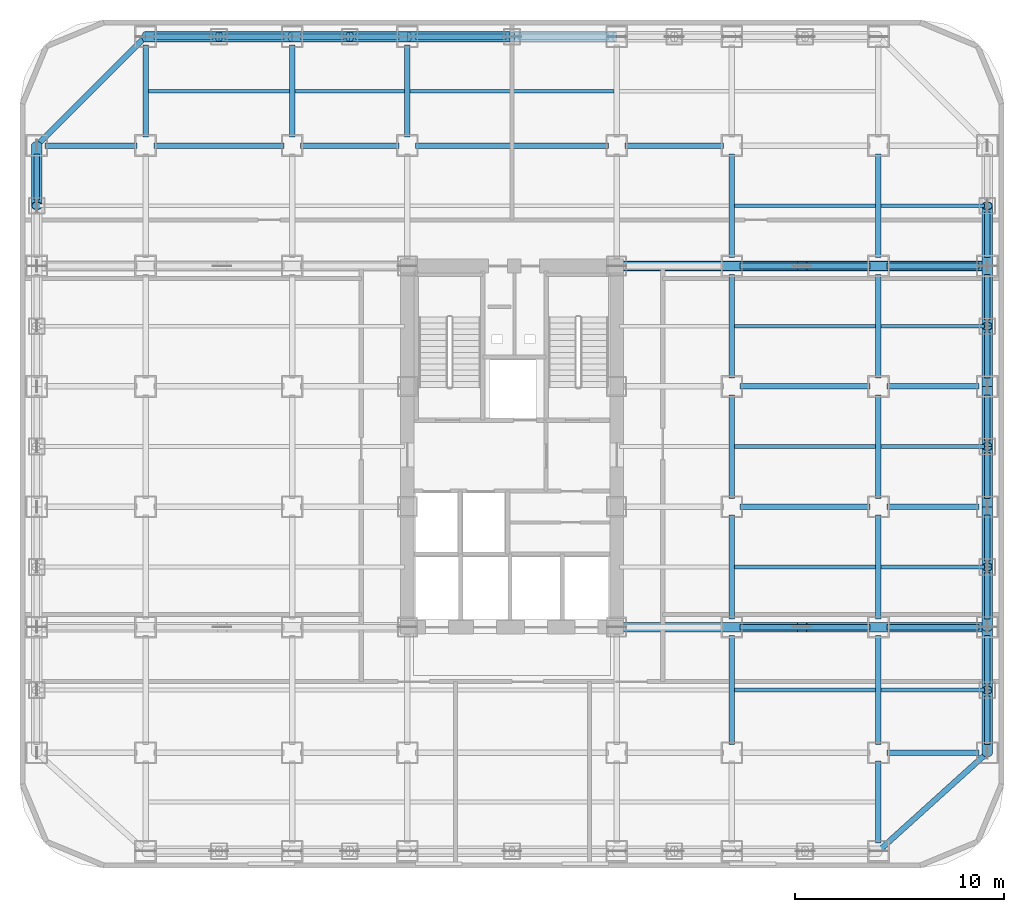
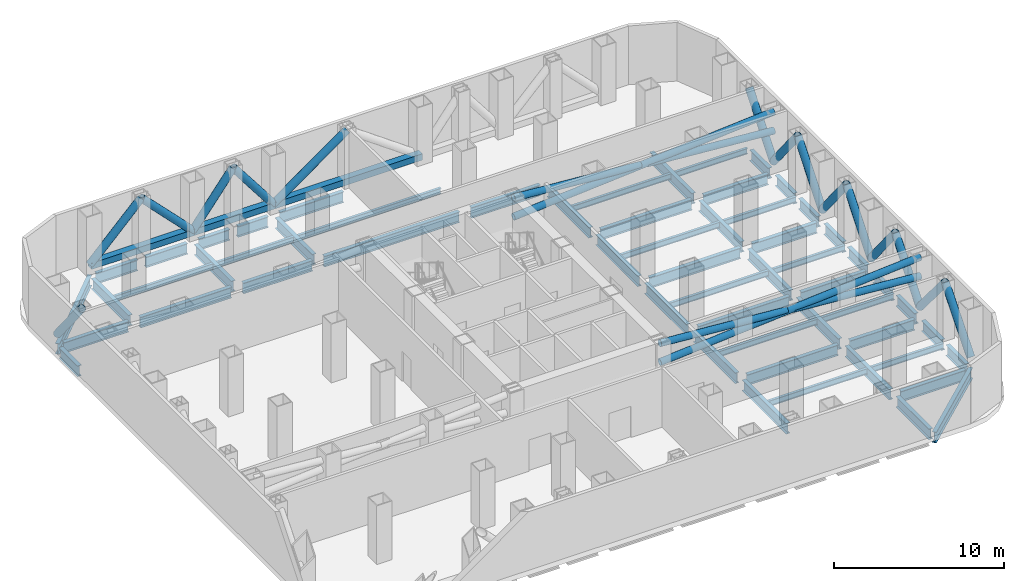
# One storey, part 3 of 10: 58 beams, 24 members.
"""IFC4 building model written with IfcOpenShell, lengths in metres."""

from ifc_helpers import new_model, si_unit, direction, frame, origin, origin_2d, place, context, subcontext, project, spatial, hollow_rectangle, hollow_circle, i_section, extrude, source, transform, mapped, material, material_profile, profile_set, type_object, element, save


model = new_model("IFC4")

# Units and contexts
model_context = context("Model", 3, precision=1e-05, world=origin(), true_north=direction((0.0, 1.0)))
body_context = subcontext(model_context, "Body", "Model", "MODEL_VIEW")
ifc_project = project(units=[si_unit("LENGTHUNIT", "METRE"), si_unit("AREAUNIT", "SQUARE_METRE"), si_unit("VOLUMEUNIT", "CUBIC_METRE"), si_unit("PLANEANGLEUNIT", "RADIAN"), si_unit("MASSUNIT", "GRAM", prefix="KILO")], contexts=[model_context])

# Site, building, storey
site_placement = place(None, origin())
site = spatial("IfcSite", under=ifc_project, at=site_placement, CompositionType="ELEMENT")
building_placement = place(site_placement, origin())
building = spatial("IfcBuilding", under=site, at=building_placement, Name="Kolveth Station Tower", CompositionType="ELEMENT")
storey_placement = place(building_placement, frame((0.0, 0.0, 76.5)))
storey = spatial("IfcBuildingStorey", under=building, at=storey_placement, Name="L20", CompositionType="ELEMENT", Elevation=76.5)

# Beams
ifc_material_1 = material(Name="Steel S355", Category="steel")
ifc_material_profile_1 = material_profile(ifc_material_1, i_section(OverallWidth=0.26904296875, OverallDepth=0.77490234375, WebThickness=0.01708984375, FlangeThickness=0.0283203125, at=origin_2d()), Name="W760x220")
ifc_profile_set_1 = profile_set([ifc_material_profile_1], Name="Steel S355")
beam_type_1 = type_object("IfcBeamType", Name="Beam_SP1", PredefinedType="SPANDREL", material=ifc_profile_set_1)
shared_shape_1 = source(origin(), body_context, "Body", "SweptSolid", [
    extrude(i_section(OverallWidth=0.26904296875, OverallDepth=0.77490234375, WebThickness=0.01708984375, FlangeThickness=0.0283203125, at=origin_2d()), origin(), (0.0, 0.0, 1.0), 7.00927734375),
])
beam_1_placement = place(storey_placement, frame((41.0, 0.800048828125, -0.74755859375), z_axis=(0.741874009795, 0.670539300557, 0.0), x_axis=(-0.670539300557, 0.741874009795, 0.0)))
element("IfcBeam", 1, at=beam_1_placement, inside=storey, type_object=beam_type_1, Name="L20 Corner Edge Girder BM-L20-CNR-SE", PredefinedType="SPANDREL", context=body_context, shape_type="MappedRepresentation", body=[
    mapped(shared_shape_1, transform((0.0, 0.0, 0.0), x_axis=(1.0, 0.0, 0.0), y_axis=(0.0, 1.0, 0.0), z_axis=(0.0, 0.0, 1.0), scale=1.0)),
])
shared_shape_2 = source(origin(), body_context, "Body", "SweptSolid", [
    extrude(i_section(OverallWidth=0.26904296875, OverallDepth=0.77490234375, WebThickness=0.01708984375, FlangeThickness=0.0283203125, at=origin_2d()), origin(), (0.0, 0.0, 1.0), 7.353759765625),
])
beam_2_placement = place(storey_placement, frame((6.0, 39.699951171875, -0.74755859375), z_axis=(-0.707106781187, -0.707106781187, 0.0), x_axis=(0.707106781187, -0.707106781187, 0.0)))
element("IfcBeam", 2, at=beam_2_placement, inside=storey, type_object=beam_type_1, Name="L20 Corner Edge Girder BM-L20-CNR-NW", PredefinedType="SPANDREL", context=body_context, shape_type="MappedRepresentation", body=[
    mapped(shared_shape_2, transform((0.0, 0.0, 0.0), x_axis=(1.0, 0.0, 0.0), y_axis=(0.0, 1.0, 0.0), z_axis=(0.0, 0.0, 1.0), scale=1.0)),
])
shared_shape_3 = source(origin(), body_context, "Body", "SweptSolid", [
    extrude(i_section(OverallWidth=0.26904296875, OverallDepth=0.77490234375, WebThickness=0.01708984375, FlangeThickness=0.0283203125, at=origin_2d()), origin(), (0.0, 0.0, 1.0), 2.820068359375),
])
for number, where, z_axis, x_axis, name in (
    (3, (6.39990234375, 39.699951171875, -0.74755859375), (1.0, 0.0, 0.0), (0.0, 1.0, 0.0), "L20 Perimeter Spandrel BM-L20-PN-1"),
    (4, (9.780029296875, 39.699951171875, -0.74755859375), (1.0, 0.0, 0.0), (0.0, 1.0, 0.0), "L20 Perimeter Spandrel BM-L20-PN-2"),
):
    element("IfcBeam", number, at=place(storey_placement, frame(where, z_axis=z_axis, x_axis=x_axis)), inside=storey, type_object=beam_type_1, Name=name, PredefinedType="SPANDREL", context=body_context, shape_type="MappedRepresentation", body=[
        mapped(shared_shape_3, transform((0.0, 0.0, 0.0), x_axis=(1.0, 0.0, 0.0), y_axis=(0.0, 1.0, 0.0), z_axis=(0.0, 0.0, 1.0), scale=1.0)),
    ])
shared_shape_4 = source(origin(), body_context, "Body", "SweptSolid", [
    extrude(i_section(OverallWidth=0.26904296875, OverallDepth=0.77490234375, WebThickness=0.01708984375, FlangeThickness=0.0283203125, at=origin_2d()), origin(), (0.0, 0.0, 1.0), 2.070068359375),
])
for number, where, z_axis, x_axis, name in (
    (5, (13.39990234375, 39.699951171875, -0.74755859375), (1.0, 0.0, 0.0), (0.0, 1.0, 0.0), "L20 Perimeter Spandrel BM-L20-PN-3"),
    (6, (16.030029296875, 39.699951171875, -0.74755859375), (1.0, 0.0, 0.0), (0.0, 1.0, 0.0), "L20 Perimeter Spandrel BM-L20-PN-4"),
):
    element("IfcBeam", number, at=place(storey_placement, frame(where, z_axis=z_axis, x_axis=x_axis)), inside=storey, type_object=beam_type_1, Name=name, PredefinedType="SPANDREL", context=body_context, shape_type="MappedRepresentation", body=[
        mapped(shared_shape_4, transform((0.0, 0.0, 0.0), x_axis=(1.0, 0.0, 0.0), y_axis=(0.0, 1.0, 0.0), z_axis=(0.0, 0.0, 1.0), scale=1.0)),
    ])
shared_shape_5 = source(origin(), body_context, "Body", "SweptSolid", [
    extrude(i_section(OverallWidth=0.26904296875, OverallDepth=0.77490234375, WebThickness=0.01708984375, FlangeThickness=0.0283203125, at=origin_2d()), origin(), (0.0, 0.0, 1.0), 4.320068359375),
])
beam_3_placement = place(storey_placement, frame((18.89990234375, 39.699951171875, -0.74755859375), z_axis=(1.0, 0.0, 0.0), x_axis=(0.0, 1.0, 0.0)))
element("IfcBeam", 7, at=beam_3_placement, inside=storey, type_object=beam_type_1, Name="L20 Perimeter Spandrel BM-L20-PN-5", PredefinedType="SPANDREL", context=body_context, shape_type="MappedRepresentation", body=[
    mapped(shared_shape_5, transform((0.0, 0.0, 0.0), x_axis=(1.0, 0.0, 0.0), y_axis=(0.0, 1.0, 0.0), z_axis=(0.0, 0.0, 1.0), scale=1.0)),
])
shared_shape_6 = source(origin(), body_context, "Body", "SweptSolid", [
    extrude(i_section(OverallWidth=0.26904296875, OverallDepth=0.77490234375, WebThickness=0.01708984375, FlangeThickness=0.0283203125, at=origin_2d()), origin(), (0.0, 0.0, 1.0), 2.320068359375),
])
for number, where, z_axis, x_axis, name in (
    (8, (46.199951171875, 5.89990234375, -0.74755859375), (0.0, 1.0, 0.0), (-1.0, 0.0, 0.0), "L20 Perimeter Spandrel BM-L20-PE-1"),
    (9, (46.199951171875, 8.780029296875, -0.74755859375), (0.0, 1.0, 0.0), (-1.0, 0.0, 0.0), "L20 Perimeter Spandrel BM-L20-PE-2"),
):
    element("IfcBeam", number, at=place(storey_placement, frame(where, z_axis=z_axis, x_axis=x_axis)), inside=storey, type_object=beam_type_1, Name=name, PredefinedType="SPANDREL", context=body_context, shape_type="MappedRepresentation", body=[
        mapped(shared_shape_6, transform((0.0, 0.0, 0.0), x_axis=(1.0, 0.0, 0.0), y_axis=(0.0, 1.0, 0.0), z_axis=(0.0, 0.0, 1.0), scale=1.0)),
    ])
shared_shape_7 = source(origin(), body_context, "Body", "SweptSolid", [
    extrude(i_section(OverallWidth=0.26904296875, OverallDepth=0.77490234375, WebThickness=0.01708984375, FlangeThickness=0.0283203125, at=origin_2d()), origin(), (0.0, 0.0, 1.0), 2.2001953125),
])
for number, where, z_axis, x_axis, name in (
    (10, (0.800048828125, 31.89990234375, -0.74755859375), (0.0, 1.0, 0.0), (-1.0, 0.0, 0.0), "L20 Perimeter Spandrel BM-L20-PW-10"),
    (11, (46.199951171875, 11.89990234375, -0.74755859375), (0.0, 1.0, 0.0), (-1.0, 0.0, 0.0), "L20 Perimeter Spandrel BM-L20-PE-3"),
    (12, (46.199951171875, 20.39990234375, -0.74755859375), (0.0, 1.0, 0.0), (-1.0, 0.0, 0.0), "L20 Perimeter Spandrel BM-L20-PE-6"),
    (13, (46.199951171875, 23.39990234375, -0.74755859375), (0.0, 1.0, 0.0), (-1.0, 0.0, 0.0), "L20 Perimeter Spandrel BM-L20-PE-7"),
):
    element("IfcBeam", number, at=place(storey_placement, frame(where, z_axis=z_axis, x_axis=x_axis)), inside=storey, type_object=beam_type_1, Name=name, PredefinedType="SPANDREL", context=body_context, shape_type="MappedRepresentation", body=[
        mapped(shared_shape_7, transform((0.0, 0.0, 0.0), x_axis=(1.0, 0.0, 0.0), y_axis=(0.0, 1.0, 0.0), z_axis=(0.0, 0.0, 1.0), scale=1.0)),
    ])
shared_shape_8 = source(origin(), body_context, "Body", "SweptSolid", [
    extrude(i_section(OverallWidth=0.26904296875, OverallDepth=0.77490234375, WebThickness=0.01708984375, FlangeThickness=0.0283203125, at=origin_2d()), origin(), (0.0, 0.0, 1.0), 2.190185546875),
])
for number, where, z_axis, x_axis, name in (
    (14, (46.199951171875, 14.659912109375, -0.74755859375), (0.0, 1.0, 0.0), (-1.0, 0.0, 0.0), "L20 Perimeter Spandrel BM-L20-PE-4"),
    (15, (46.199951171875, 17.64990234375, -0.74755859375), (0.0, 1.0, 0.0), (-1.0, 0.0, 0.0), "L20 Perimeter Spandrel BM-L20-PE-5"),
    (16, (46.199951171875, 26.159912109375, -0.74755859375), (0.0, 1.0, 0.0), (-1.0, 0.0, 0.0), "L20 Perimeter Spandrel BM-L20-PE-8"),
    (17, (46.199951171875, 29.14990234375, -0.74755859375), (0.0, 1.0, 0.0), (-1.0, 0.0, 0.0), "L20 Perimeter Spandrel BM-L20-PE-9"),
):
    element("IfcBeam", number, at=place(storey_placement, frame(where, z_axis=z_axis, x_axis=x_axis)), inside=storey, type_object=beam_type_1, Name=name, PredefinedType="SPANDREL", context=body_context, shape_type="MappedRepresentation", body=[
        mapped(shared_shape_8, transform((0.0, 0.0, 0.0), x_axis=(1.0, 0.0, 0.0), y_axis=(0.0, 1.0, 0.0), z_axis=(0.0, 0.0, 1.0), scale=1.0)),
    ])
ifc_material_profile_2 = material_profile(ifc_material_1, i_section(OverallWidth=0.26708984375, OverallDepth=0.76611328125, WebThickness=0.014892578125, FlangeThickness=0.023681640625, at=origin_2d()), Name="W760x185")
ifc_profile_set_2 = profile_set([ifc_material_profile_2], Name="Steel S355")
beam_type_2 = type_object("IfcBeamType", Name="Beam_B3", PredefinedType="BEAM", material=ifc_profile_set_2)
shared_shape_9 = source(origin(), body_context, "Body", "SweptSolid", [
    extrude(i_section(OverallWidth=0.26708984375, OverallDepth=0.76611328125, WebThickness=0.014892578125, FlangeThickness=0.023681640625, at=origin_2d()), origin(), (0.0, 0.0, 1.0), 4.400146484375),
])
for number, where, z_axis, x_axis, name in (
    (18, (41.39990234375, 5.5, -0.742919921875), (1.0, 0.0, 0.0), (0.0, 1.0, 0.0), "L20 Primary Girder BM-L20-GY55-7"),
    (19, (41.39990234375, 11.5, -0.742919921875), (1.0, 0.0, 0.0), (0.0, 1.0, 0.0), "L20 Primary Girder BM-L20-GY115-7"),
    (20, (41.39990234375, 17.25, -0.742919921875), (1.0, 0.0, 0.0), (0.0, 1.0, 0.0), "L20 Primary Girder BM-L20-GY172-7"),
    (21, (41.39990234375, 23.0, -0.742919921875), (1.0, 0.0, 0.0), (0.0, 1.0, 0.0), "L20 Primary Girder BM-L20-GY230-7"),
    (22, (41.39990234375, 28.75, -0.742919921875), (1.0, 0.0, 0.0), (0.0, 1.0, 0.0), "L20 Primary Girder BM-L20-GY287-7"),
    (23, (1.199951171875, 34.5, -0.742919921875), (1.0, 0.0, 0.0), (0.0, 1.0, 0.0), "L20 Primary Girder BM-L20-GY345-1"),
    (24, (6.0, 34.89990234375, -0.742919921875), (0.0, 1.0, 0.0), (-1.0, 0.0, 0.0), "L20 Primary Girder BM-L20-GX60-7"),
    (25, (13.0, 34.89990234375, -0.742919921875), (0.0, 1.0, 0.0), (-1.0, 0.0, 0.0), "L20 Primary Girder BM-L20-GX130-7"),
    (26, (18.5, 34.89990234375, -0.742919921875), (0.0, 1.0, 0.0), (-1.0, 0.0, 0.0), "L20 Primary Girder BM-L20-GX185-7"),
):
    element("IfcBeam", number, at=place(storey_placement, frame(where, z_axis=z_axis, x_axis=x_axis)), inside=storey, type_object=beam_type_2, Name=name, PredefinedType="BEAM", context=body_context, shape_type="MappedRepresentation", body=[
        mapped(shared_shape_9, transform((0.0, 0.0, 0.0), x_axis=(1.0, 0.0, 0.0), y_axis=(0.0, 1.0, 0.0), z_axis=(0.0, 0.0, 1.0), scale=1.0)),
    ])
shared_shape_10 = source(origin(), body_context, "Body", "SweptSolid", [
    extrude(i_section(OverallWidth=0.26708984375, OverallDepth=0.76611328125, WebThickness=0.014892578125, FlangeThickness=0.023681640625, at=origin_2d()), origin(), (0.0, 0.0, 1.0), 6.2001953125),
])
for number, where, z_axis, x_axis, name in (
    (27, (34.39990234375, 11.5, -0.742919921875), (1.0, 0.0, 0.0), (0.0, 1.0, 0.0), "L20 Primary Girder BM-L20-GY115-6"),
    (28, (34.39990234375, 17.25, -0.742919921875), (1.0, 0.0, 0.0), (0.0, 1.0, 0.0), "L20 Primary Girder BM-L20-GY172-6"),
    (29, (34.39990234375, 23.0, -0.742919921875), (1.0, 0.0, 0.0), (0.0, 1.0, 0.0), "L20 Primary Girder BM-L20-GY230-6"),
    (30, (34.39990234375, 28.75, -0.742919921875), (1.0, 0.0, 0.0), (0.0, 1.0, 0.0), "L20 Primary Girder BM-L20-GY287-6"),
    (31, (6.39990234375, 34.5, -0.742919921875), (1.0, 0.0, 0.0), (0.0, 1.0, 0.0), "L20 Primary Girder BM-L20-GY345-2"),
):
    element("IfcBeam", number, at=place(storey_placement, frame(where, z_axis=z_axis, x_axis=x_axis)), inside=storey, type_object=beam_type_2, Name=name, PredefinedType="BEAM", context=body_context, shape_type="MappedRepresentation", body=[
        mapped(shared_shape_10, transform((0.0, 0.0, 0.0), x_axis=(1.0, 0.0, 0.0), y_axis=(0.0, 1.0, 0.0), z_axis=(0.0, 0.0, 1.0), scale=1.0)),
    ])
shared_shape_11 = source(origin(), body_context, "Body", "SweptSolid", [
    extrude(i_section(OverallWidth=0.26708984375, OverallDepth=0.76611328125, WebThickness=0.014892578125, FlangeThickness=0.023681640625, at=origin_2d()), origin(), (0.0, 0.0, 1.0), 4.7001953125),
])
for number, where, z_axis, x_axis, name in (
    (32, (13.39990234375, 34.5, -0.742919921875), (1.0, 0.0, 0.0), (0.0, 1.0, 0.0), "L20 Primary Girder BM-L20-GY345-3"),
    (33, (28.89990234375, 34.5, -0.742919921875), (1.0, 0.0, 0.0), (0.0, 1.0, 0.0), "L20 Primary Girder BM-L20-GY345-5"),
):
    element("IfcBeam", number, at=place(storey_placement, frame(where, z_axis=z_axis, x_axis=x_axis)), inside=storey, type_object=beam_type_2, Name=name, PredefinedType="BEAM", context=body_context, shape_type="MappedRepresentation", body=[
        mapped(shared_shape_11, transform((0.0, 0.0, 0.0), x_axis=(1.0, 0.0, 0.0), y_axis=(0.0, 1.0, 0.0), z_axis=(0.0, 0.0, 1.0), scale=1.0)),
    ])
shared_shape_12 = source(origin(), body_context, "Body", "SweptSolid", [
    extrude(i_section(OverallWidth=0.26708984375, OverallDepth=0.76611328125, WebThickness=0.014892578125, FlangeThickness=0.023681640625, at=origin_2d()), origin(), (0.0, 0.0, 1.0), 9.2001953125),
])
beam_4_placement = place(storey_placement, frame((18.89990234375, 34.5, -0.742919921875), z_axis=(1.0, 0.0, 0.0), x_axis=(0.0, 1.0, 0.0)))
element("IfcBeam", 34, at=beam_4_placement, inside=storey, type_object=beam_type_2, Name="L20 Primary Girder BM-L20-GY345-4", PredefinedType="BEAM", context=body_context, shape_type="MappedRepresentation", body=[
    mapped(shared_shape_12, transform((0.0, 0.0, 0.0), x_axis=(1.0, 0.0, 0.0), y_axis=(0.0, 1.0, 0.0), z_axis=(0.0, 0.0, 1.0), scale=1.0)),
])
shared_shape_13 = source(origin(), body_context, "Body", "SweptSolid", [
    extrude(i_section(OverallWidth=0.26708984375, OverallDepth=0.76611328125, WebThickness=0.014892578125, FlangeThickness=0.023681640625, at=origin_2d()), origin(), (0.0, 0.0, 1.0), 3.900146484375),
])
beam_5_placement = place(storey_placement, frame((41.0, 1.199951171875, -0.742919921875), z_axis=(0.0, 1.0, 0.0), x_axis=(-1.0, 0.0, 0.0)))
element("IfcBeam", 35, at=beam_5_placement, inside=storey, type_object=beam_type_2, Name="L20 Primary Girder BM-L20-GX410-1", PredefinedType="BEAM", context=body_context, shape_type="MappedRepresentation", body=[
    mapped(shared_shape_13, transform((0.0, 0.0, 0.0), x_axis=(1.0, 0.0, 0.0), y_axis=(0.0, 1.0, 0.0), z_axis=(0.0, 0.0, 1.0), scale=1.0)),
])
shared_shape_14 = source(origin(), body_context, "Body", "SweptSolid", [
    extrude(i_section(OverallWidth=0.26708984375, OverallDepth=0.76611328125, WebThickness=0.014892578125, FlangeThickness=0.023681640625, at=origin_2d()), origin(), (0.0, 0.0, 1.0), 5.2001953125),
])
for number, where, z_axis, x_axis, name in (
    (36, (34.0, 5.89990234375, -0.742919921875), (0.0, 1.0, 0.0), (-1.0, 0.0, 0.0), "L20 Primary Girder BM-L20-GX340-2"),
    (37, (41.0, 5.89990234375, -0.742919921875), (0.0, 1.0, 0.0), (-1.0, 0.0, 0.0), "L20 Primary Girder BM-L20-GX410-2"),
):
    element("IfcBeam", number, at=place(storey_placement, frame(where, z_axis=z_axis, x_axis=x_axis)), inside=storey, type_object=beam_type_2, Name=name, PredefinedType="BEAM", context=body_context, shape_type="MappedRepresentation", body=[
        mapped(shared_shape_14, transform((0.0, 0.0, 0.0), x_axis=(1.0, 0.0, 0.0), y_axis=(0.0, 1.0, 0.0), z_axis=(0.0, 0.0, 1.0), scale=1.0)),
    ])
shared_shape_15 = source(origin(), body_context, "Body", "SweptSolid", [
    extrude(i_section(OverallWidth=0.26708984375, OverallDepth=0.76611328125, WebThickness=0.014892578125, FlangeThickness=0.023681640625, at=origin_2d()), origin(), (0.0, 0.0, 1.0), 4.9501953125),
])
for number, where, z_axis, x_axis, name in (
    (38, (34.0, 11.89990234375, -0.742919921875), (0.0, 1.0, 0.0), (-1.0, 0.0, 0.0), "L20 Primary Girder BM-L20-GX340-3"),
    (39, (34.0, 17.64990234375, -0.742919921875), (0.0, 1.0, 0.0), (-1.0, 0.0, 0.0), "L20 Primary Girder BM-L20-GX340-4"),
    (40, (34.0, 23.39990234375, -0.742919921875), (0.0, 1.0, 0.0), (-1.0, 0.0, 0.0), "L20 Primary Girder BM-L20-GX340-5"),
    (41, (34.0, 29.14990234375, -0.742919921875), (0.0, 1.0, 0.0), (-1.0, 0.0, 0.0), "L20 Primary Girder BM-L20-GX340-6"),
    (42, (41.0, 11.89990234375, -0.742919921875), (0.0, 1.0, 0.0), (-1.0, 0.0, 0.0), "L20 Primary Girder BM-L20-GX410-3"),
    (43, (41.0, 17.64990234375, -0.742919921875), (0.0, 1.0, 0.0), (-1.0, 0.0, 0.0), "L20 Primary Girder BM-L20-GX410-4"),
    (44, (41.0, 23.39990234375, -0.742919921875), (0.0, 1.0, 0.0), (-1.0, 0.0, 0.0), "L20 Primary Girder BM-L20-GX410-5"),
    (45, (41.0, 29.14990234375, -0.742919921875), (0.0, 1.0, 0.0), (-1.0, 0.0, 0.0), "L20 Primary Girder BM-L20-GX410-6"),
):
    element("IfcBeam", number, at=place(storey_placement, frame(where, z_axis=z_axis, x_axis=x_axis)), inside=storey, type_object=beam_type_2, Name=name, PredefinedType="BEAM", context=body_context, shape_type="MappedRepresentation", body=[
        mapped(shared_shape_15, transform((0.0, 0.0, 0.0), x_axis=(1.0, 0.0, 0.0), y_axis=(0.0, 1.0, 0.0), z_axis=(0.0, 0.0, 1.0), scale=1.0)),
    ])
ifc_material_profile_3 = material_profile(ifc_material_1, i_section(OverallWidth=0.177978515625, OverallDepth=0.406982421875, WebThickness=0.0078125, FlangeThickness=0.0126953125, at=origin_2d()), Name="W410x60")
ifc_profile_set_3 = profile_set([ifc_material_profile_3], Name="Steel S355")
beam_type_3 = type_object("IfcBeamType", Name="Beam_J1", PredefinedType="JOIST", material=ifc_profile_set_3)
shared_shape_16 = source(origin(), body_context, "Body", "SweptSolid", [
    extrude(i_section(OverallWidth=0.177978515625, OverallDepth=0.406982421875, WebThickness=0.0078125, FlangeThickness=0.0126953125, at=origin_2d()), origin(), (0.0, 0.0, 1.0), 4.935791015625),
])
for number, where, z_axis, x_axis, name in (
    (46, (41.131591796875, 8.5, -0.5634765625), (1.0, 0.0, 0.0), (0.0, 1.0, 0.0), "L20 Secondary Joist JST-L20-7-2"),
    (47, (41.131591796875, 14.375, -0.5634765625), (1.0, 0.0, 0.0), (0.0, 1.0, 0.0), "L20 Secondary Joist JST-L20-7-3"),
    (48, (41.131591796875, 20.125, -0.5634765625), (1.0, 0.0, 0.0), (0.0, 1.0, 0.0), "L20 Secondary Joist JST-L20-7-4"),
    (49, (41.131591796875, 25.875, -0.5634765625), (1.0, 0.0, 0.0), (0.0, 1.0, 0.0), "L20 Secondary Joist JST-L20-7-5"),
    (50, (41.131591796875, 31.625, -0.5634765625), (1.0, 0.0, 0.0), (0.0, 1.0, 0.0), "L20 Secondary Joist JST-L20-7-6"),
):
    element("IfcBeam", number, at=place(storey_placement, frame(where, z_axis=z_axis, x_axis=x_axis)), inside=storey, type_object=beam_type_3, Name=name, PredefinedType="JOIST", context=body_context, shape_type="MappedRepresentation", body=[
        mapped(shared_shape_16, transform((0.0, 0.0, 0.0), x_axis=(1.0, 0.0, 0.0), y_axis=(0.0, 1.0, 0.0), z_axis=(0.0, 0.0, 1.0), scale=1.0)),
    ])
shared_shape_17 = source(origin(), body_context, "Body", "SweptSolid", [
    extrude(i_section(OverallWidth=0.177978515625, OverallDepth=0.406982421875, WebThickness=0.0078125, FlangeThickness=0.0126953125, at=origin_2d()), origin(), (0.0, 0.0, 1.0), 6.73681640625),
])
for number, where, z_axis, x_axis, name in (
    (51, (6.131591796875, 37.10009765625, -0.5634765625), (1.0, 0.0, 0.0), (0.0, 1.0, 0.0), "L20 Secondary Joist JST-L20-2-7"),
    (52, (34.131591796875, 8.5, -0.5634765625), (1.0, 0.0, 0.0), (0.0, 1.0, 0.0), "L20 Secondary Joist JST-L20-6-2"),
    (53, (34.131591796875, 14.375, -0.5634765625), (1.0, 0.0, 0.0), (0.0, 1.0, 0.0), "L20 Secondary Joist JST-L20-6-3"),
    (54, (34.131591796875, 20.125, -0.5634765625), (1.0, 0.0, 0.0), (0.0, 1.0, 0.0), "L20 Secondary Joist JST-L20-6-4"),
    (55, (34.131591796875, 25.875, -0.5634765625), (1.0, 0.0, 0.0), (0.0, 1.0, 0.0), "L20 Secondary Joist JST-L20-6-5"),
    (56, (34.131591796875, 31.625, -0.5634765625), (1.0, 0.0, 0.0), (0.0, 1.0, 0.0), "L20 Secondary Joist JST-L20-6-6"),
):
    element("IfcBeam", number, at=place(storey_placement, frame(where, z_axis=z_axis, x_axis=x_axis)), inside=storey, type_object=beam_type_3, Name=name, PredefinedType="JOIST", context=body_context, shape_type="MappedRepresentation", body=[
        mapped(shared_shape_17, transform((0.0, 0.0, 0.0), x_axis=(1.0, 0.0, 0.0), y_axis=(0.0, 1.0, 0.0), z_axis=(0.0, 0.0, 1.0), scale=1.0)),
    ])
shared_shape_18 = source(origin(), body_context, "Body", "SweptSolid", [
    extrude(i_section(OverallWidth=0.177978515625, OverallDepth=0.406982421875, WebThickness=0.0078125, FlangeThickness=0.0126953125, at=origin_2d()), origin(), (0.0, 0.0, 1.0), 5.23681640625),
])
beam_6_placement = place(storey_placement, frame((13.131591796875, 37.10009765625, -0.5634765625), z_axis=(1.0, 0.0, 0.0), x_axis=(0.0, 1.0, 0.0)))
element("IfcBeam", 57, at=beam_6_placement, inside=storey, type_object=beam_type_3, Name="L20 Secondary Joist JST-L20-3-7", PredefinedType="JOIST", context=body_context, shape_type="MappedRepresentation", body=[
    mapped(shared_shape_18, transform((0.0, 0.0, 0.0), x_axis=(1.0, 0.0, 0.0), y_axis=(0.0, 1.0, 0.0), z_axis=(0.0, 0.0, 1.0), scale=1.0)),
])
shared_shape_19 = source(origin(), body_context, "Body", "SweptSolid", [
    extrude(i_section(OverallWidth=0.177978515625, OverallDepth=0.406982421875, WebThickness=0.0078125, FlangeThickness=0.0126953125, at=origin_2d()), origin(), (0.0, 0.0, 1.0), 9.73681640625),
])
beam_7_placement = place(storey_placement, frame((18.631591796875, 37.10009765625, -0.5634765625), z_axis=(1.0, 0.0, 0.0), x_axis=(0.0, 1.0, 0.0)))
element("IfcBeam", 58, at=beam_7_placement, inside=storey, type_object=beam_type_3, Name="L20 Secondary Joist JST-L20-4-7", PredefinedType="JOIST", context=body_context, shape_type="MappedRepresentation", body=[
    mapped(shared_shape_19, transform((0.0, 0.0, 0.0), x_axis=(1.0, 0.0, 0.0), y_axis=(0.0, 1.0, 0.0), z_axis=(0.0, 0.0, 1.0), scale=1.0)),
])

# Members
ifc_material_2 = material(Name="Steel S460", Category="steel")
ifc_material_profile_4 = material_profile(ifc_material_2, hollow_circle(Radius=0.25390625, WallThickness=0.02490234375, at=origin_2d()), Name="CHS508x25")
ifc_profile_set_4 = profile_set([ifc_material_profile_4], Name="Steel S460")
member_type_1 = type_object("IfcMemberType", Name="Mem_BR1", PredefinedType="BRACE", material=ifc_profile_set_4)
shared_shape_20 = source(origin(), body_context, "Body", "SweptSolid", [
    extrude(hollow_circle(Radius=0.25390625, WallThickness=0.02490234375, at=origin_2d()), origin(), (0.0, 0.0, 1.0), 4.999267578125),
])
for number, where, z_axis, x_axis, name in (
    (59, (6.0, 39.699951171875, 0.35009765625), (0.700088987627, 0.0, 0.71405560666), (0.0, 1.0, 0.0), "L20 Belt Truss Brace N1A"),
    (60, (13.0, 39.699951171875, 0.35009765625), (-0.700088987627, 0.0, 0.71405560666), (0.0, -1.0, 0.0), "L20 Belt Truss Brace N1B"),
):
    element("IfcMember", number, at=place(storey_placement, frame(where, z_axis=z_axis, x_axis=x_axis)), inside=storey, type_object=member_type_1, Name=name, PredefinedType="BRACE", context=body_context, shape_type="MappedRepresentation", body=[
        mapped(shared_shape_20, transform((0.0, 0.0, 0.0), x_axis=(1.0, 0.0, 0.0), y_axis=(0.0, 1.0, 0.0), z_axis=(0.0, 0.0, 1.0), scale=1.0)),
    ])
ifc_material_profile_5 = material_profile(ifc_material_2, hollow_rectangle(XDim=0.449951171875, YDim=0.449951171875, WallThickness=0.02490234375, at=origin_2d()), Name="HSS450x450x25")
ifc_profile_set_5 = profile_set([ifc_material_profile_5], Name="Steel S460")
member_type_2 = type_object("IfcMemberType", Name="Mem_CH1", PredefinedType="CHORD", material=ifc_profile_set_5)
shared_shape_21 = source(origin(), body_context, "Body", "SweptSolid", [
    extrude(hollow_rectangle(XDim=0.449951171875, YDim=0.449951171875, WallThickness=0.02490234375, at=origin_2d()), origin(), (0.0, 0.0, 1.0), 7.0),
])
member_1_placement = place(storey_placement, frame((6.0, 39.699951171875, 0.35009765625), z_axis=(1.0, 0.0, 0.0), x_axis=(0.0, 1.0, 0.0)))
element("IfcMember", 61, at=member_1_placement, inside=storey, type_object=member_type_2, Name="L20 Belt Truss Bottom Chord N1", PredefinedType="CHORD", context=body_context, shape_type="MappedRepresentation", body=[
    mapped(shared_shape_21, transform((0.0, 0.0, 0.0), x_axis=(1.0, 0.0, 0.0), y_axis=(0.0, 1.0, 0.0), z_axis=(0.0, 0.0, 1.0), scale=1.0)),
])
shared_shape_22 = source(origin(), body_context, "Body", "SweptSolid", [
    extrude(hollow_circle(Radius=0.25390625, WallThickness=0.02490234375, at=origin_2d()), origin(), (0.0, 0.0, 1.0), 4.50634765625),
])
for number, where, z_axis, x_axis, name in (
    (62, (13.0, 39.699951171875, 0.35009765625), (0.610265688356, 0.0, 0.792196812424), (0.0, 1.0, 0.0), "L20 Belt Truss Brace N2A"),
    (63, (18.5, 39.699951171875, 0.35009765625), (-0.610265688356, 0.0, 0.792196812424), (0.0, -1.0, 0.0), "L20 Belt Truss Brace N2B"),
):
    element("IfcMember", number, at=place(storey_placement, frame(where, z_axis=z_axis, x_axis=x_axis)), inside=storey, type_object=member_type_1, Name=name, PredefinedType="BRACE", context=body_context, shape_type="MappedRepresentation", body=[
        mapped(shared_shape_22, transform((0.0, 0.0, 0.0), x_axis=(1.0, 0.0, 0.0), y_axis=(0.0, 1.0, 0.0), z_axis=(0.0, 0.0, 1.0), scale=1.0)),
    ])
shared_shape_23 = source(origin(), body_context, "Body", "SweptSolid", [
    extrude(hollow_rectangle(XDim=0.449951171875, YDim=0.449951171875, WallThickness=0.02490234375, at=origin_2d()), origin(), (0.0, 0.0, 1.0), 5.5),
])
member_2_placement = place(storey_placement, frame((13.0, 39.699951171875, 0.35009765625), z_axis=(1.0, 0.0, 0.0), x_axis=(0.0, 1.0, 0.0)))
element("IfcMember", 64, at=member_2_placement, inside=storey, type_object=member_type_2, Name="L20 Belt Truss Bottom Chord N2", PredefinedType="CHORD", context=body_context, shape_type="MappedRepresentation", body=[
    mapped(shared_shape_23, transform((0.0, 0.0, 0.0), x_axis=(1.0, 0.0, 0.0), y_axis=(0.0, 1.0, 0.0), z_axis=(0.0, 0.0, 1.0), scale=1.0)),
])
shared_shape_24 = source(origin(), body_context, "Body", "SweptSolid", [
    extrude(hollow_circle(Radius=0.25390625, WallThickness=0.02490234375, at=origin_2d()), origin(), (0.0, 0.0, 1.0), 6.1435546875),
])
member_3_placement = place(storey_placement, frame((18.5, 39.699951171875, 0.35009765625), z_axis=(0.813856966283, 0.0, 0.581065261767), x_axis=(0.0, 1.0, 0.0)))
element("IfcMember", 65, at=member_3_placement, inside=storey, type_object=member_type_1, Name="L20 Belt Truss Brace N3A", PredefinedType="BRACE", context=body_context, shape_type="MappedRepresentation", body=[
    mapped(shared_shape_24, transform((0.0, 0.0, 0.0), x_axis=(1.0, 0.0, 0.0), y_axis=(0.0, 1.0, 0.0), z_axis=(0.0, 0.0, 1.0), scale=1.0)),
])
shared_shape_25 = source(origin(), body_context, "Body", "SweptSolid", [
    extrude(hollow_rectangle(XDim=0.449951171875, YDim=0.449951171875, WallThickness=0.02490234375, at=origin_2d()), origin(), (0.0, 0.0, 1.0), 10.0),
])
member_4_placement = place(storey_placement, frame((18.5, 39.699951171875, 0.35009765625), z_axis=(1.0, 0.0, 0.0), x_axis=(0.0, 1.0, 0.0)))
element("IfcMember", 66, at=member_4_placement, inside=storey, type_object=member_type_2, Name="L20 Belt Truss Bottom Chord N3", PredefinedType="CHORD", context=body_context, shape_type="MappedRepresentation", body=[
    mapped(shared_shape_25, transform((0.0, 0.0, 0.0), x_axis=(1.0, 0.0, 0.0), y_axis=(0.0, 1.0, 0.0), z_axis=(0.0, 0.0, 1.0), scale=1.0)),
])
shared_shape_26 = source(origin(), body_context, "Body", "SweptSolid", [
    extrude(hollow_circle(Radius=0.25390625, WallThickness=0.02490234375, at=origin_2d()), origin(), (0.0, 0.0, 1.0), 4.6630859375),
])
for number, where, z_axis, x_axis, name in (
    (67, (46.199951171875, 5.5, 0.35009765625), (0.0, 0.643361518409, 0.765562509943), (-1.0, 0.0, 0.0), "L20 Belt Truss Brace E1A"),
    (68, (46.199951171875, 11.5, 0.35009765625), (0.0, -0.643361518409, 0.765562509943), (1.0, 0.0, 0.0), "L20 Belt Truss Brace E1B"),
):
    element("IfcMember", number, at=place(storey_placement, frame(where, z_axis=z_axis, x_axis=x_axis)), inside=storey, type_object=member_type_1, Name=name, PredefinedType="BRACE", context=body_context, shape_type="MappedRepresentation", body=[
        mapped(shared_shape_26, transform((0.0, 0.0, 0.0), x_axis=(1.0, 0.0, 0.0), y_axis=(0.0, 1.0, 0.0), z_axis=(0.0, 0.0, 1.0), scale=1.0)),
    ])
shared_shape_27 = source(origin(), body_context, "Body", "SweptSolid", [
    extrude(hollow_circle(Radius=0.25390625, WallThickness=0.02490234375, at=origin_2d()), origin(), (0.0, 0.0, 1.0), 4.58349609375),
])
for number, where, z_axis, x_axis, name in (
    (69, (0.800048828125, 34.5, 0.35009765625), (0.0, -0.627238010019, 0.778827630986), (1.0, 0.0, 0.0), "L20 Belt Truss Brace W5B"),
    (70, (46.199951171875, 11.5, 0.35009765625), (0.0, 0.627238010019, 0.778827630986), (-1.0, 0.0, 0.0), "L20 Belt Truss Brace E2A"),
    (71, (46.199951171875, 17.25, 0.35009765625), (0.0, -0.627238010019, 0.778827630986), (1.0, 0.0, 0.0), "L20 Belt Truss Brace E2B"),
    (72, (46.199951171875, 17.25, 0.35009765625), (0.0, 0.627238010019, 0.778827630986), (-1.0, 0.0, 0.0), "L20 Belt Truss Brace E3A"),
    (73, (46.199951171875, 23.0, 0.35009765625), (0.0, -0.627238010019, 0.778827630986), (1.0, 0.0, 0.0), "L20 Belt Truss Brace E3B"),
    (74, (46.199951171875, 23.0, 0.35009765625), (0.0, 0.627238010019, 0.778827630986), (-1.0, 0.0, 0.0), "L20 Belt Truss Brace E4A"),
    (75, (46.199951171875, 28.75, 0.35009765625), (0.0, -0.627238010019, 0.778827630986), (1.0, 0.0, 0.0), "L20 Belt Truss Brace E4B"),
    (76, (46.199951171875, 28.75, 0.35009765625), (0.0, 0.627238010019, 0.778827630986), (-1.0, 0.0, 0.0), "L20 Belt Truss Brace E5A"),
):
    element("IfcMember", number, at=place(storey_placement, frame(where, z_axis=z_axis, x_axis=x_axis)), inside=storey, type_object=member_type_1, Name=name, PredefinedType="BRACE", context=body_context, shape_type="MappedRepresentation", body=[
        mapped(shared_shape_27, transform((0.0, 0.0, 0.0), x_axis=(1.0, 0.0, 0.0), y_axis=(0.0, 1.0, 0.0), z_axis=(0.0, 0.0, 1.0), scale=1.0)),
    ])
ifc_material_profile_6 = material_profile(ifc_material_2, hollow_circle(Radius=0.228515625, WallThickness=0.02197265625, at=origin_2d()), Name="CHS457x22")
ifc_profile_set_6 = profile_set([ifc_material_profile_6], Name="Steel S460")
member_type_3 = type_object("IfcMemberType", Name="Mem_BR2", PredefinedType="BRACE", material=ifc_profile_set_6)
shared_shape_28 = source(origin(), body_context, "Body", "SweptSolid", [
    extrude(hollow_circle(Radius=0.228515625, WallThickness=0.02197265625, at=origin_2d()), origin(), (0.0, 0.0, 1.0), 17.7529296875),
])
for number, where, z_axis, x_axis, name in (
    (77, (28.5, 11.5, 2.550048828125), (0.997018458741, 0.0, 0.07716341704), (0.0, 1.0, 0.0), "L20 Outrigger Continuous Diagonal 2A"),
    (78, (28.5, 28.75, 2.550048828125), (0.997018458741, 0.0, 0.07716341704), (0.0, 1.0, 0.0), "L20 Outrigger Continuous Diagonal 4A"),
):
    element("IfcMember", number, at=place(storey_placement, frame(where, z_axis=z_axis, x_axis=x_axis)), inside=storey, type_object=member_type_3, Name=name, PredefinedType="BRACE", context=body_context, shape_type="MappedRepresentation", body=[
        mapped(shared_shape_28, transform((0.0, 0.0, 0.0), x_axis=(1.0, 0.0, 0.0), y_axis=(0.0, 1.0, 0.0), z_axis=(0.0, 0.0, 1.0), scale=1.0)),
    ])
shared_shape_29 = source(origin(), body_context, "Body", "SweptSolid", [
    extrude(hollow_circle(Radius=0.228515625, WallThickness=0.02197265625, at=origin_2d()), origin(), (0.0, 0.0, 1.0), 8.656494140625),
])
for number, where, z_axis, x_axis, name in (
    (79, (46.199951171875, 11.5, 2.550048828125), (-0.997018374851, 0.0, 0.077164500964), (0.0, -1.0, 0.0), "L20 Outrigger Split Lower Diagonal 2B1"),
    (80, (37.130615234375, 11.5, 3.251953125), (-0.997018374851, 0.0, 0.077164500964), (0.0, -1.0, 0.0), "L20 Outrigger Split Upper Diagonal 2B2"),
    (81, (46.199951171875, 28.75, 2.550048828125), (-0.997018374851, 0.0, 0.077164500964), (0.0, -1.0, 0.0), "L20 Outrigger Split Lower Diagonal 4B1"),
    (82, (37.130615234375, 28.75, 3.251953125), (-0.997018374851, 0.0, 0.077164500964), (0.0, -1.0, 0.0), "L20 Outrigger Split Upper Diagonal 4B2"),
):
    element("IfcMember", number, at=place(storey_placement, frame(where, z_axis=z_axis, x_axis=x_axis)), inside=storey, type_object=member_type_3, Name=name, PredefinedType="BRACE", context=body_context, shape_type="MappedRepresentation", body=[
        mapped(shared_shape_29, transform((0.0, 0.0, 0.0), x_axis=(1.0, 0.0, 0.0), y_axis=(0.0, 1.0, 0.0), z_axis=(0.0, 0.0, 1.0), scale=1.0)),
    ])

save(model, "model.ifc")
